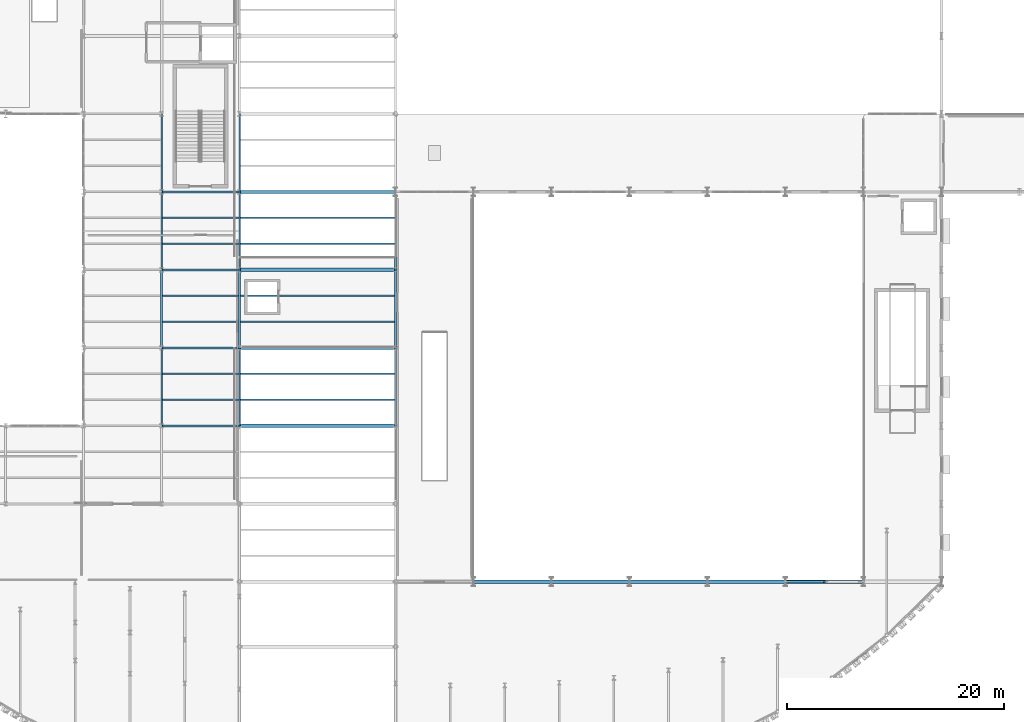
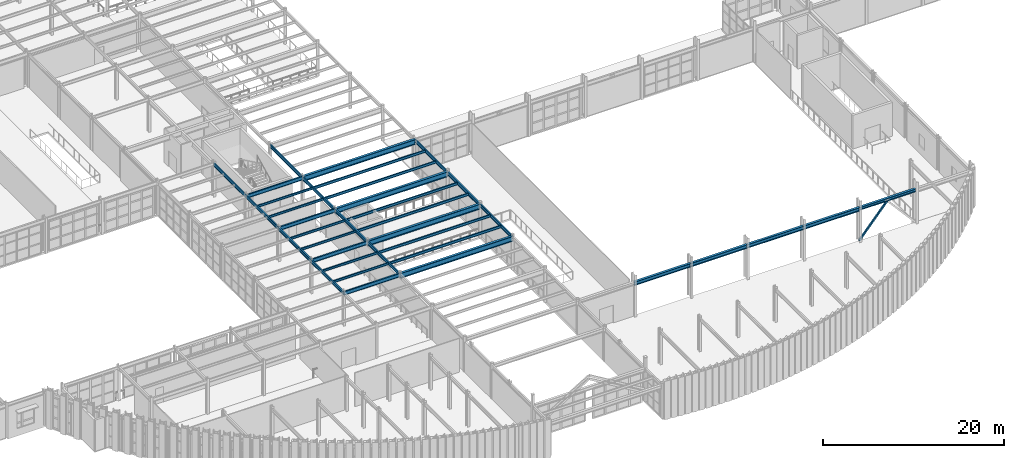
# One storey, part 50 of 126: 36 beams, 1 member.
"""IFC4 building model written with IfcOpenShell, lengths in metres."""

from ifc_helpers import new_model, si_unit, direction, frame, origin, origin_2d, place, context, subcontext, project, spatial, hollow_rectangle, i_section, extrude, material, material_profile, profile_set, type_object, element, save


model = new_model("IFC4")

# Units and contexts
model_context = context("Model", 3, precision=1e-05, world=origin(), true_north=direction((0.0, 1.0)))
body_context = subcontext(model_context, "Body", "Model", "MODEL_VIEW")
ifc_project = project(units=[si_unit("LENGTHUNIT", "METRE"), si_unit("AREAUNIT", "SQUARE_METRE"), si_unit("VOLUMEUNIT", "CUBIC_METRE"), si_unit("PLANEANGLEUNIT", "RADIAN"), si_unit("MASSUNIT", "GRAM", prefix="KILO")], contexts=[model_context])

# Site, building, storey
site_placement = place(None, origin())
site = spatial("IfcSite", under=ifc_project, at=site_placement, CompositionType="ELEMENT")
building_placement = place(site_placement, origin())
building = spatial("IfcBuilding", under=site, at=building_placement, Name="Solvadek Multi-Sports Hall", CompositionType="ELEMENT")
storey_placement = place(building_placement, frame((0.0, 0.0, 9.60009765625)))
storey = spatial("IfcBuildingStorey", under=building, at=storey_placement, Name="L02", CompositionType="ELEMENT", Elevation=9.60009765625)

# Beams
ifc_material = material(Name="Steel E350 (350 MPa)", Category="steel")
ifc_material_profile_1 = material_profile(ifc_material, i_section(OverallWidth=0.14990234375, OverallDepth=0.449951171875, WebThickness=0.009521484375, FlangeThickness=0.017333984375, at=origin_2d()), Name="ISMB 450")
ifc_profile_set_1 = profile_set([ifc_material_profile_1], Name="Steel E350 (350 MPa)")
beam_type_1 = type_object("IfcBeamType", Name="STR-BM-ISMB450", PredefinedType="BEAM", material=ifc_profile_set_1)
beam_1_placement = place(storey_placement, frame((64.800048828125, 20.39990234375, 4.3349609375), z_axis=(0.0, 1.0, 0.0), x_axis=(-1.0, 0.0, 0.0)))
element("IfcBeam", 1, at=beam_1_placement, inside=storey, type_object=beam_type_1, Name="L02 Girder B-09 #1540", PredefinedType="BEAM", context=body_context, shape_type="SweptSolid", body=[
    extrude(i_section(OverallWidth=0.14990234375, OverallDepth=0.449951171875, WebThickness=0.009521484375, FlangeThickness=0.017333984375, at=origin_2d()), origin(), (0.0, 0.0, 1.0), 7.2001953125),
])
for number, where, z_axis, x_axis, name in (
    (2, (64.800048828125, 34.800048828125, 4.3349609375), (0.0, 1.0, 0.0), (-1.0, 0.0, 0.0), "L02 Girder B-09 #1542"),
    (3, (64.800048828125, 42.0, 4.3349609375), (0.0, 1.0, 0.0), (-1.0, 0.0, 0.0), "L02 Girder B-09 #1543"),
):
    element("IfcBeam", number, at=place(storey_placement, frame(where, z_axis=z_axis, x_axis=x_axis)), inside=storey, type_object=beam_type_1, Name=name, PredefinedType="BEAM", context=body_context, shape_type="SweptSolid", body=[
        extrude(i_section(OverallWidth=0.14990234375, OverallDepth=0.449951171875, WebThickness=0.009521484375, FlangeThickness=0.017333984375, at=origin_2d()), origin(), (0.0, 0.0, 1.0), 7.199951171875),
    ])
beam_2_placement = place(storey_placement, frame((72.0, 20.39990234375, 4.3349609375), z_axis=(0.0, 1.0, 0.0), x_axis=(-1.0, 0.0, 0.0)))
element("IfcBeam", 4, at=beam_2_placement, inside=storey, type_object=beam_type_1, Name="L02 Girder B-09 #1560", PredefinedType="BEAM", context=body_context, shape_type="SweptSolid", body=[
    extrude(i_section(OverallWidth=0.14990234375, OverallDepth=0.449951171875, WebThickness=0.009521484375, FlangeThickness=0.017333984375, at=origin_2d()), origin(), (0.0, 0.0, 1.0), 7.2001953125),
])
for number, where, z_axis, x_axis, name in (
    (5, (72.0, 34.800048828125, 4.3349609375), (0.0, 1.0, 0.0), (-1.0, 0.0, 0.0), "L02 Girder B-09 #1562"),
    (6, (72.0, 42.0, 4.3349609375), (0.0, 1.0, 0.0), (-1.0, 0.0, 0.0), "L02 Girder B-09 #1563"),
):
    element("IfcBeam", number, at=place(storey_placement, frame(where, z_axis=z_axis, x_axis=x_axis)), inside=storey, type_object=beam_type_1, Name=name, PredefinedType="BEAM", context=body_context, shape_type="SweptSolid", body=[
        extrude(i_section(OverallWidth=0.14990234375, OverallDepth=0.449951171875, WebThickness=0.009521484375, FlangeThickness=0.017333984375, at=origin_2d()), origin(), (0.0, 0.0, 1.0), 7.199951171875),
    ])
beam_3_placement = place(storey_placement, frame((86.39990234375, 20.39990234375, 4.3349609375), z_axis=(0.0, 1.0, 0.0), x_axis=(-1.0, 0.0, 0.0)))
element("IfcBeam", 7, at=beam_3_placement, inside=storey, type_object=beam_type_1, Name="L02 Girder B-09 #1578", PredefinedType="BEAM", context=body_context, shape_type="SweptSolid", body=[
    extrude(i_section(OverallWidth=0.14990234375, OverallDepth=0.449951171875, WebThickness=0.009521484375, FlangeThickness=0.017333984375, at=origin_2d()), origin(), (0.0, 0.0, 1.0), 7.2001953125),
])
beam_4_placement = place(storey_placement, frame((86.39990234375, 34.800048828125, 4.3349609375), z_axis=(0.0, 1.0, 0.0), x_axis=(-1.0, 0.0, 0.0)))
element("IfcBeam", 8, at=beam_4_placement, inside=storey, type_object=beam_type_1, Name="L02 Girder B-09 #1580", PredefinedType="BEAM", context=body_context, shape_type="SweptSolid", body=[
    extrude(i_section(OverallWidth=0.14990234375, OverallDepth=0.449951171875, WebThickness=0.009521484375, FlangeThickness=0.017333984375, at=origin_2d()), origin(), (0.0, 0.0, 1.0), 7.199951171875),
])
ifc_material_profile_2 = material_profile(ifc_material, i_section(OverallWidth=0.179931640625, OverallDepth=0.5, WebThickness=0.01025390625, FlangeThickness=0.01708984375, at=origin_2d()), Name="ISMB 500")
ifc_profile_set_2 = profile_set([ifc_material_profile_2], Name="Steel E350 (350 MPa)")
beam_type_2 = type_object("IfcBeamType", Name="STR-BM-ISMB500", PredefinedType="BEAM", material=ifc_profile_set_2)
for number, where, z_axis, x_axis, name in (
    (9, (64.800048828125, 20.39990234375, 4.309814453125), (1.0, 0.0, 0.0), (0.0, 1.0, 0.0), "L02 Girder B-07 #1335"),
    (10, (64.800048828125, 27.60009765625, 4.309814453125), (1.0, 0.0, 0.0), (0.0, 1.0, 0.0), "L02 Girder B-07 #1340"),
    (11, (64.800048828125, 34.800048828125, 4.309814453125), (1.0, 0.0, 0.0), (0.0, 1.0, 0.0), "L02 Girder B-07 #1346"),
    (12, (64.800048828125, 42.0, 4.309814453125), (1.0, 0.0, 0.0), (0.0, 1.0, 0.0), "L02 Girder B-07 #1352"),
):
    element("IfcBeam", number, at=place(storey_placement, frame(where, z_axis=z_axis, x_axis=x_axis)), inside=storey, type_object=beam_type_2, Name=name, PredefinedType="BEAM", context=body_context, shape_type="SweptSolid", body=[
        extrude(i_section(OverallWidth=0.179931640625, OverallDepth=0.5, WebThickness=0.01025390625, FlangeThickness=0.01708984375, at=origin_2d()), origin(), (0.0, 0.0, 1.0), 7.199951171875),
    ])
ifc_material_profile_3 = material_profile(ifc_material, i_section(OverallWidth=0.18994140625, OverallDepth=0.449951171875, WebThickness=0.009521484375, FlangeThickness=0.0146484375, at=origin_2d()), Name="NPB 450")
ifc_profile_set_3 = profile_set([ifc_material_profile_3], Name="Steel E350 (350 MPa)")
beam_type_3 = type_object("IfcBeamType", Name="STR-BM-NPB450", PredefinedType="BEAM", material=ifc_profile_set_3)
for number, where, z_axis, x_axis, name in (
    (13, (64.800048828125, 27.60009765625, 4.3349609375), (0.0, 1.0, 0.0), (-1.0, 0.0, 0.0), "L02 Girder B-08 #1541"),
    (14, (72.0, 27.60009765625, 4.3349609375), (0.0, 1.0, 0.0), (-1.0, 0.0, 0.0), "L02 Girder B-08 #1561"),
    (15, (86.39990234375, 27.60009765625, 4.3349609375), (0.0, 1.0, 0.0), (-1.0, 0.0, 0.0), "L02 Girder B-08 #1579"),
):
    element("IfcBeam", number, at=place(storey_placement, frame(where, z_axis=z_axis, x_axis=x_axis)), inside=storey, type_object=beam_type_3, Name=name, PredefinedType="BEAM", context=body_context, shape_type="SweptSolid", body=[
        extrude(i_section(OverallWidth=0.18994140625, OverallDepth=0.449951171875, WebThickness=0.009521484375, FlangeThickness=0.0146484375, at=origin_2d()), origin(), (0.0, 0.0, 1.0), 7.199951171875),
    ])
ifc_material_profile_4 = material_profile(ifc_material, i_section(OverallWidth=0.300048828125, OverallDepth=0.699951171875, WebThickness=0.01708984375, FlangeThickness=0.031982421875, at=origin_2d()), Name="WPB 700")
ifc_profile_set_4 = profile_set([ifc_material_profile_4], Name="Steel E350 (350 MPa)")
beam_type_4 = type_object("IfcBeamType", Name="STR-BM-WPB700", PredefinedType="BEAM", material=ifc_profile_set_4)
for number, where, z_axis, x_axis, name in (
    (16, (72.0, 20.39990234375, 4.2099609375), (1.0, 0.0, 0.0), (0.0, 1.0, 0.0), "L02 Girder B-01 #1336"),
    (17, (72.0, 27.60009765625, 4.2099609375), (1.0, 0.0, 0.0), (0.0, 1.0, 0.0), "L02 Girder B-01 #1341"),
    (18, (72.0, 34.800048828125, 4.2099609375), (1.0, 0.0, 0.0), (0.0, 1.0, 0.0), "L02 Girder B-01 #1347"),
    (19, (72.0, 42.0, 4.2099609375), (1.0, 0.0, 0.0), (0.0, 1.0, 0.0), "L02 Girder B-01 #1353"),
):
    element("IfcBeam", number, at=place(storey_placement, frame(where, z_axis=z_axis, x_axis=x_axis)), inside=storey, type_object=beam_type_4, Name=name, PredefinedType="BEAM", context=body_context, shape_type="SweptSolid", body=[
        extrude(i_section(OverallWidth=0.300048828125, OverallDepth=0.699951171875, WebThickness=0.01708984375, FlangeThickness=0.031982421875, at=origin_2d()), origin(), (0.0, 0.0, 1.0), 14.39990234375),
    ])

# Member
ifc_material_profile_5 = material_profile(ifc_material, hollow_rectangle(XDim=0.199951171875, YDim=0.199951171875, WallThickness=0.010009765625, at=origin_2d()), Name="SHS 200x200x10")
ifc_profile_set_5 = profile_set([ifc_material_profile_5], Name="Steel E350 (350 MPa)")
member_type = type_object("IfcMemberType", Name="STR-BRC-SHS200", PredefinedType="BRACE", material=ifc_profile_set_5)
member_placement = place(storey_placement, frame((122.39990234375, 6.0, 0.0), z_axis=(0.655295898412, 0.0, 0.755372282735), x_axis=(0.0, 1.0, 0.0)))
element("IfcMember", 20, at=member_placement, inside=storey, type_object=member_type, Name="L02 Concentric Chevron Brace #37", PredefinedType="BRACE", context=body_context, shape_type="SweptSolid", body=[
    extrude(hollow_rectangle(XDim=0.199951171875, YDim=0.199951171875, WallThickness=0.010009765625, at=origin_2d()), origin(), (0.0, 0.0, 1.0), 5.493896484375),
])

# Beams
ifc_material_profile_6 = material_profile(ifc_material, i_section(OverallWidth=0.139892578125, OverallDepth=0.300048828125, WebThickness=0.0078125, FlangeThickness=0.01318359375, at=origin_2d()), Name="ISMB 300")
ifc_profile_set_6 = profile_set([ifc_material_profile_6], Name="Steel E350 (350 MPa)")
beam_type_5 = type_object("IfcBeamType", Name="STR-JST-ISMB300", PredefinedType="JOIST", material=ifc_profile_set_6)
for number, where, z_axis, x_axis, name in (
    (21, (64.875, 22.800048828125, 4.409912109375), (1.0, 0.0, 0.0), (0.0, 1.0, 0.0), "L02 Composite Joist J-03 #779"),
    (22, (64.875, 25.199951171875, 4.409912109375), (1.0, 0.0, 0.0), (0.0, 1.0, 0.0), "L02 Composite Joist J-03 #780"),
):
    element("IfcBeam", number, at=place(storey_placement, frame(where, z_axis=z_axis, x_axis=x_axis)), inside=storey, type_object=beam_type_5, Name=name, PredefinedType="JOIST", context=body_context, shape_type="SweptSolid", body=[
        extrude(i_section(OverallWidth=0.139892578125, OverallDepth=0.300048828125, WebThickness=0.0078125, FlangeThickness=0.01318359375, at=origin_2d()), origin(), (0.0, 0.0, 1.0), 7.050048828125),
    ])
for number, where, z_axis, x_axis, name in (
    (23, (64.89501953125, 30.0, 4.409912109375), (1.0, 0.0, 0.0), (0.0, 1.0, 0.0), "L02 Composite Joist J-03 #789"),
    (24, (64.89501953125, 32.39990234375, 4.409912109375), (1.0, 0.0, 0.0), (0.0, 1.0, 0.0), "L02 Composite Joist J-03 #790"),
):
    element("IfcBeam", number, at=place(storey_placement, frame(where, z_axis=z_axis, x_axis=x_axis)), inside=storey, type_object=beam_type_5, Name=name, PredefinedType="JOIST", context=body_context, shape_type="SweptSolid", body=[
        extrude(i_section(OverallWidth=0.139892578125, OverallDepth=0.300048828125, WebThickness=0.0078125, FlangeThickness=0.01318359375, at=origin_2d()), origin(), (0.0, 0.0, 1.0), 7.010009765625),
    ])
for number, where, z_axis, x_axis, name in (
    (25, (64.875, 37.199951171875, 4.409912109375), (1.0, 0.0, 0.0), (0.0, 1.0, 0.0), "L02 Composite Joist J-03 #801"),
    (26, (64.875, 39.60009765625, 4.409912109375), (1.0, 0.0, 0.0), (0.0, 1.0, 0.0), "L02 Composite Joist J-03 #802"),
):
    element("IfcBeam", number, at=place(storey_placement, frame(where, z_axis=z_axis, x_axis=x_axis)), inside=storey, type_object=beam_type_5, Name=name, PredefinedType="JOIST", context=body_context, shape_type="SweptSolid", body=[
        extrude(i_section(OverallWidth=0.139892578125, OverallDepth=0.300048828125, WebThickness=0.0078125, FlangeThickness=0.01318359375, at=origin_2d()), origin(), (0.0, 0.0, 1.0), 7.050048828125),
    ])
ifc_material_profile_7 = material_profile(ifc_material, i_section(OverallWidth=0.139892578125, OverallDepth=0.35009765625, WebThickness=0.008056640625, FlangeThickness=0.01416015625, at=origin_2d()), Name="ISMB 350")
ifc_profile_set_7 = profile_set([ifc_material_profile_7], Name="Steel E350 (350 MPa)")
beam_type_6 = type_object("IfcBeamType", Name="STR-JST-ISMB350", PredefinedType="JOIST", material=ifc_profile_set_7)
for number, where, z_axis, x_axis, name in (
    (27, (72.074951171875, 22.800048828125, 4.385009765625), (1.0, 0.0, 0.0), (0.0, 1.0, 0.0), "L02 Composite Joist J-01 #781"),
    (28, (72.074951171875, 25.199951171875, 4.385009765625), (1.0, 0.0, 0.0), (0.0, 1.0, 0.0), "L02 Composite Joist J-01 #782"),
):
    element("IfcBeam", number, at=place(storey_placement, frame(where, z_axis=z_axis, x_axis=x_axis)), inside=storey, type_object=beam_type_6, Name=name, PredefinedType="JOIST", context=body_context, shape_type="SweptSolid", body=[
        extrude(i_section(OverallWidth=0.139892578125, OverallDepth=0.35009765625, WebThickness=0.008056640625, FlangeThickness=0.01416015625, at=origin_2d()), origin(), (0.0, 0.0, 1.0), 14.25),
    ])
for number, where, z_axis, x_axis, name in (
    (29, (72.094970703125, 30.0, 4.385009765625), (1.0, 0.0, 0.0), (0.0, 1.0, 0.0), "L02 Composite Joist J-01 #791"),
    (30, (72.094970703125, 32.39990234375, 4.385009765625), (1.0, 0.0, 0.0), (0.0, 1.0, 0.0), "L02 Composite Joist J-01 #792"),
):
    element("IfcBeam", number, at=place(storey_placement, frame(where, z_axis=z_axis, x_axis=x_axis)), inside=storey, type_object=beam_type_6, Name=name, PredefinedType="JOIST", context=body_context, shape_type="SweptSolid", body=[
        extrude(i_section(OverallWidth=0.139892578125, OverallDepth=0.35009765625, WebThickness=0.008056640625, FlangeThickness=0.01416015625, at=origin_2d()), origin(), (0.0, 0.0, 1.0), 14.2099609375),
    ])
for number, where, z_axis, x_axis, name in (
    (31, (72.074951171875, 37.199951171875, 4.385009765625), (1.0, 0.0, 0.0), (0.0, 1.0, 0.0), "L02 Composite Joist J-01 #803"),
    (32, (72.074951171875, 39.60009765625, 4.385009765625), (1.0, 0.0, 0.0), (0.0, 1.0, 0.0), "L02 Composite Joist J-01 #804"),
):
    element("IfcBeam", number, at=place(storey_placement, frame(where, z_axis=z_axis, x_axis=x_axis)), inside=storey, type_object=beam_type_6, Name=name, PredefinedType="JOIST", context=body_context, shape_type="SweptSolid", body=[
        extrude(i_section(OverallWidth=0.139892578125, OverallDepth=0.35009765625, WebThickness=0.008056640625, FlangeThickness=0.01416015625, at=origin_2d()), origin(), (0.0, 0.0, 1.0), 14.25),
    ])
ifc_material_profile_8 = material_profile(ifc_material, i_section(OverallWidth=0.300048828125, OverallDepth=0.39990234375, WebThickness=0.013427734375, FlangeThickness=0.02392578125, at=origin_2d()), Name="WPB 400")
ifc_profile_set_8 = profile_set([ifc_material_profile_8], Name="Steel E350 (350 MPa)")
beam_type_7 = type_object("IfcBeamType", Name="STR-SPN-WPB400", PredefinedType="SPANDREL", material=ifc_profile_set_8)
beam_5_placement = place(storey_placement, frame((122.39990234375, 6.0, 4.35986328125), z_axis=(1.0, 0.0, 0.0), x_axis=(0.0, 1.0, 0.0)))
element("IfcBeam", 33, at=beam_5_placement, inside=storey, type_object=beam_type_7, Name="L02 Girder SP-02 #1318", PredefinedType="SPANDREL", context=body_context, shape_type="SweptSolid", body=[
    extrude(i_section(OverallWidth=0.300048828125, OverallDepth=0.39990234375, WebThickness=0.013427734375, FlangeThickness=0.02392578125, at=origin_2d()), origin(), (0.0, 0.0, 1.0), 7.2001953125),
])
ifc_material_profile_9 = material_profile(ifc_material, i_section(OverallWidth=0.300048828125, OverallDepth=0.5, WebThickness=0.014404296875, FlangeThickness=0.028076171875, at=origin_2d()), Name="WPB 500")
ifc_profile_set_9 = profile_set([ifc_material_profile_9], Name="Steel E350 (350 MPa)")
beam_type_8 = type_object("IfcBeamType", Name="STR-SPN-WPB500", PredefinedType="SPANDREL", material=ifc_profile_set_9)
for number, where, z_axis, x_axis, name in (
    (34, (93.60009765625, 6.0, 4.309814453125), (1.0, 0.0, 0.0), (0.0, 1.0, 0.0), "L02 Girder SP-01 #1314"),
    (35, (100.800048828125, 6.0, 4.309814453125), (1.0, 0.0, 0.0), (0.0, 1.0, 0.0), "L02 Girder SP-01 #1315"),
    (36, (108.0, 6.0, 4.309814453125), (1.0, 0.0, 0.0), (0.0, 1.0, 0.0), "L02 Girder SP-01 #1316"),
    (37, (115.199951171875, 6.0, 4.309814453125), (1.0, 0.0, 0.0), (0.0, 1.0, 0.0), "L02 Girder SP-01 #1317"),
):
    element("IfcBeam", number, at=place(storey_placement, frame(where, z_axis=z_axis, x_axis=x_axis)), inside=storey, type_object=beam_type_8, Name=name, PredefinedType="SPANDREL", context=body_context, shape_type="SweptSolid", body=[
        extrude(i_section(OverallWidth=0.300048828125, OverallDepth=0.5, WebThickness=0.014404296875, FlangeThickness=0.028076171875, at=origin_2d()), origin(), (0.0, 0.0, 1.0), 7.199951171875),
    ])

save(model, "model.ifc")
